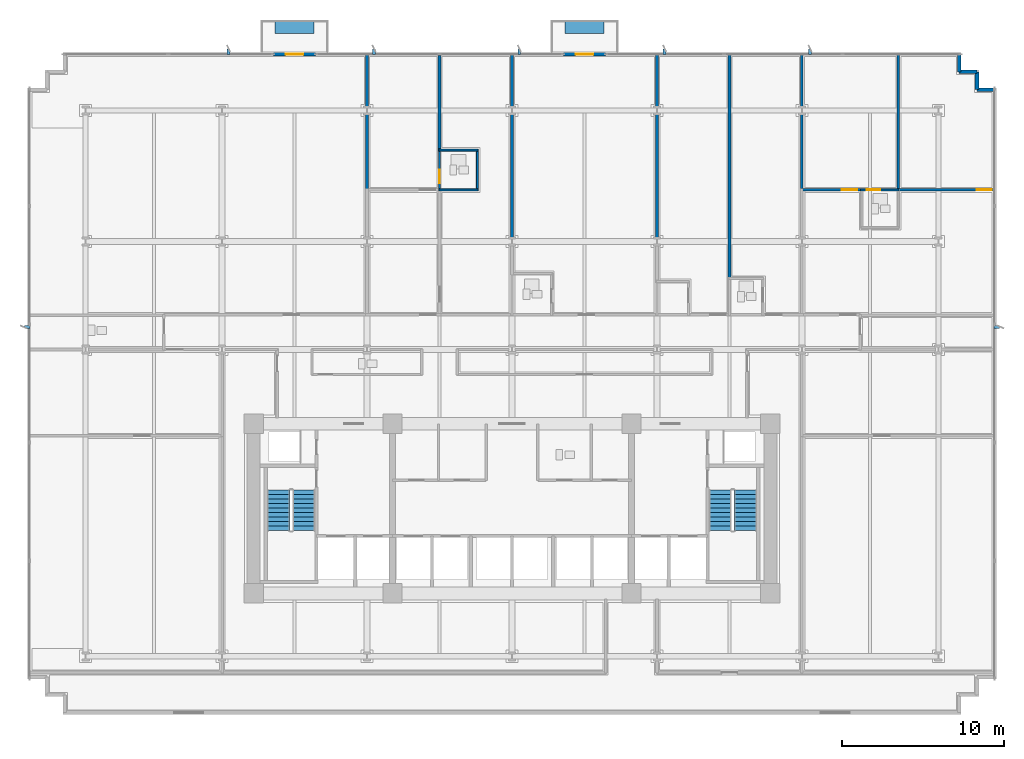
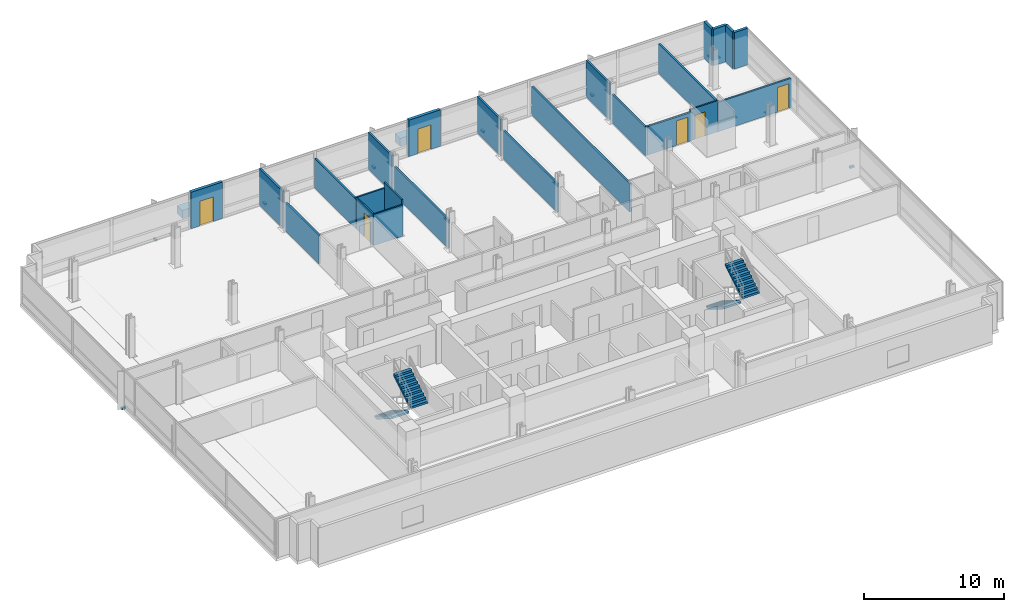
# One storey, part 11 of 17: 24 walls, 9 discrete accessories, 6 doors, 4 stair flights, 6 openings, 2 elements without a shape of their own.
"""IFC4 building model written with IfcOpenShell, lengths in metres."""

from ifc_helpers import new_model, si_unit, direction, frame, frame_2d, origin, origin_2d, place, context, subcontext, project, spatial, polyline, rectangle, outline, extrude, material, layer, layer_set, type_object, element, fill, aggregate, save


model = new_model("IFC4")

# Units and contexts
model_context = context("Model", 3, precision=1e-05, world=origin(), true_north=direction((0.0, 1.0)))
body_context = subcontext(model_context, "Body", "Model", "MODEL_VIEW")
ifc_project = project(units=[si_unit("LENGTHUNIT", "METRE"), si_unit("AREAUNIT", "SQUARE_METRE"), si_unit("VOLUMEUNIT", "CUBIC_METRE"), si_unit("PLANEANGLEUNIT", "RADIAN"), si_unit("MASSUNIT", "GRAM", prefix="KILO")], contexts=[model_context])

# Site, building, storey
site_placement = place(None, origin())
site = spatial("IfcSite", under=ifc_project, at=site_placement, CompositionType="ELEMENT")
building_placement = place(site_placement, origin())
building = spatial("IfcBuilding", under=site, at=building_placement, Name="Solmavex Isthmus Hotel", CompositionType="ELEMENT")
storey_placement = place(building_placement, frame((0.0, 0.0, 40.199951171875)))
storey = spatial("IfcBuildingStorey", under=building, at=storey_placement, Name="L10", CompositionType="ELEMENT", Elevation=40.199951171875)

# Wall, opening, door
ifc_material_1 = material(Name="Precast Concrete C40/50", Category="concrete")
ifc_layer_1 = layer(ifc_material_1, 0.25)
ifc_layer_set_1 = layer_set([ifc_layer_1], Name="Precast Concrete C40/50")
wall_type_1 = type_object("IfcWallType", Name="EW-TWR-250", PredefinedType="STANDARD", material=ifc_layer_set_1)
wall_1_placement = place(storey_placement, frame((-14.763916015625, 20.3798828125, 0.0), z_axis=(0.0, 0.0, 1.0), x_axis=(1.0, 0.0, 0.0)))
wall_1 = element("IfcWall", 1, at=wall_1_placement, inside=storey, type_object=wall_type_1, Name="Exterior Balcony Door Wall L10-2", PredefinedType="STANDARD", context=body_context, shape_type="SweptSolid", body=[
    extrude(rectangle(XDim=2.599853515625, YDim=0.239990234375, at=frame_2d((1.2998046875, 0.0))), origin(), (0.0, 0.0, 1.0), 3.18994140625),
])
opening_1_placement = place(wall_1_placement, frame((0.75, 0.0, 0.0)))
opening_1 = element("IfcOpeningElement", 2, at=opening_1_placement, cuts=wall_1, Name="Opening ED-02", PredefinedType="OPENING", context=body_context, shape_type="SweptSolid", body=[
    extrude(rectangle(XDim=1.10009765625, YDim=2.14990234375, at=frame_2d((0.550048828125, 1.074951171875))), frame((0.0, 0.1298828125, 0.0), z_axis=(0.0, -1.0, 0.0), x_axis=(1.0, 0.0, 0.0)), (0.0, 0.0, 1.0), 0.260009765625),
])
ifc_material_2 = material(Name="Aluminium alloy 6063-T6", Category="aluminium")
door_type_1 = type_object("IfcDoorType", Name="EDR-BALC-1100", OperationType="NOTDEFINED", PredefinedType="DOOR", material=ifc_material_2)
door_1_placement = place(opening_1_placement, origin())
door_1 = element("IfcDoor", 3, at=door_1_placement, inside=storey, type_object=door_type_1, Name="Balcony & Terrace Glazed Door L10-2", OperationType="SINGLE_SWING_RIGHT", OverallHeight=2.14990234375, OverallWidth=1.10009765625, PredefinedType="DOOR", context=body_context, shape_type="SweptSolid", body=[
    extrude(rectangle(XDim=1.10009765625, YDim=2.14990234375, at=frame_2d((0.550048828125, 1.074951171875))), frame((0.0, 0.02490234375, 0.0), z_axis=(0.0, -1.0, 0.0), x_axis=(1.0, 0.0, 0.0)), (0.0, 0.0, 1.0), 0.050048828125),
])
fill(opening_1, door_1)

wall_2_placement = place(storey_placement, frame((3.18798828125, 20.3798828125, 0.0), z_axis=(0.0, 0.0, 1.0), x_axis=(1.0, 0.0, 0.0)))
wall_2 = element("IfcWall", 4, at=wall_2_placement, inside=storey, type_object=wall_type_1, Name="Exterior Balcony Door Wall L10-3", PredefinedType="STANDARD", context=body_context, shape_type="SweptSolid", body=[
    extrude(rectangle(XDim=2.60009765625, YDim=0.239990234375, at=frame_2d((1.300048828125, 0.0))), origin(), (0.0, 0.0, 1.0), 3.18994140625),
])
opening_2_placement = place(wall_2_placement, frame((0.75, 0.0, 0.0)))
opening_2 = element("IfcOpeningElement", 5, at=opening_2_placement, cuts=wall_2, Name="Opening ED-02", PredefinedType="OPENING", context=body_context, shape_type="SweptSolid", body=[
    extrude(rectangle(XDim=1.10009765625, YDim=2.14990234375, at=frame_2d((0.550048828125, 1.074951171875))), frame((0.0, 0.1298828125, 0.0), z_axis=(0.0, -1.0, 0.0), x_axis=(1.0, 0.0, 0.0)), (0.0, 0.0, 1.0), 0.260009765625),
])
door_2_placement = place(opening_2_placement, origin())
door_2 = element("IfcDoor", 6, at=door_2_placement, inside=storey, type_object=door_type_1, Name="Balcony & Terrace Glazed Door L10-3", OperationType="SINGLE_SWING_LEFT", OverallHeight=2.14990234375, OverallWidth=1.10009765625, PredefinedType="DOOR", context=body_context, shape_type="SweptSolid", body=[
    extrude(rectangle(XDim=1.10009765625, YDim=2.14990234375, at=frame_2d((0.550048828125, 1.074951171875))), frame((0.0, 0.02490234375, 0.0), z_axis=(0.0, -1.0, 0.0), x_axis=(1.0, 0.0, 0.0)), (0.0, 0.0, 1.0), 0.050048828125),
])
fill(opening_2, door_2)

# Walls
wall_3_placement = place(storey_placement, frame((27.68994140625, 20.389892578125, 0.0), z_axis=(0.0, 0.0, 1.0), x_axis=(0.0, -1.0, 0.0)))
element("IfcWall", 7, at=wall_3_placement, inside=storey, type_object=wall_type_1, Name="Serrated Corner Facade Panel L10-11", PredefinedType="STANDARD", context=body_context, shape_type="SweptSolid", body=[
    extrude(rectangle(XDim=1.099853515625, YDim=0.219970703125, at=frame_2d((0.5498046875, 0.0))), origin(), (0.0, 0.0, 1.0), 3.18994140625),
])
for number, where, z_axis, x_axis, name in (
    (8, (27.68994140625, 19.2900390625, 0.0), (0.0, 0.0, 1.0), (1.0, 0.0, 0.0), "Serrated Corner Facade Panel L10-12"),
    (9, (28.7900390625, 19.2900390625, 0.0), (0.0, 0.0, 1.0), (0.0, -1.0, 0.0), "Serrated Corner Facade Panel L10-13"),
):
    element("IfcWall", number, at=place(storey_placement, frame(where, z_axis=z_axis, x_axis=x_axis)), inside=storey, type_object=wall_type_1, Name=name, PredefinedType="STANDARD", context=body_context, shape_type="SweptSolid", body=[
        extrude(rectangle(XDim=1.10009765625, YDim=0.219970703125, at=frame_2d((0.550048828125, 0.0))), origin(), (0.0, 0.0, 1.0), 3.18994140625),
    ])
wall_4_placement = place(storey_placement, frame((28.7900390625, 18.18994140625, 0.0), z_axis=(0.0, 0.0, 1.0), x_axis=(1.0, 0.0, 0.0)))
element("IfcWall", 10, at=wall_4_placement, inside=storey, type_object=wall_type_1, Name="Serrated Corner Facade Panel L10-14", PredefinedType="STANDARD", context=body_context, shape_type="SweptSolid", body=[
    extrude(rectangle(XDim=1.099853515625, YDim=0.219970703125, at=frame_2d((0.5498046875, 0.0))), origin(), (0.0, 0.0, 1.0), 3.18994140625),
])
ifc_material_3 = material(Name="Gypsum plasterboard lining", Category="gypsum")
ifc_layer_2 = layer(ifc_material_3, 0.159912109375)
ifc_layer_set_2 = layer_set([ifc_layer_2], Name="Gypsum plasterboard lining")
wall_type_2 = type_object("IfcWallType", Name="IW-COMP-160", PredefinedType="PARTITIONING", material=ifc_layer_set_2)
wall_5_placement = place(storey_placement, frame((-8.97607421875, 16.72509765625, 0.0), z_axis=(0.0, 0.0, 1.0), x_axis=(0.0, -1.0, 0.0)))
element("IfcWall", 11, at=wall_5_placement, inside=storey, type_object=wall_type_2, Name="Interior Partition Wall W-L10-P035", PredefinedType="PARTITIONING", context=body_context, shape_type="SweptSolid", body=[
    extrude(rectangle(XDim=4.819091796875, YDim=0.159912109375, at=frame_2d((2.40966796875, 0.0))), origin(), (0.0, 0.0, 1.0), 2.4794921875),
])
wall_6_placement = place(storey_placement, frame((-8.97607421875, 20.419921875, 0.0), z_axis=(0.0, 0.0, 1.0), x_axis=(0.0, -1.0, 0.0)))
element("IfcWall", 12, at=wall_6_placement, inside=storey, type_object=wall_type_2, Name="Interior Partition Wall W-L10-P036", PredefinedType="PARTITIONING", context=body_context, shape_type="SweptSolid", body=[
    extrude(rectangle(XDim=3.344970703125, YDim=0.159912109375, at=frame_2d((1.67236328125, 0.0))), origin(), (0.0, 0.0, 1.0), 3.18994140625),
])
wall_7_placement = place(storey_placement, frame((-4.488037109375, 20.300048828125, 0.0), z_axis=(0.0, 0.0, 1.0), x_axis=(0.0, -1.0, 0.0)))
element("IfcWall", 13, at=wall_7_placement, inside=storey, type_object=wall_type_2, Name="Interior Partition Wall W-L10-P040", PredefinedType="PARTITIONING", context=body_context, shape_type="SweptSolid", body=[
    extrude(rectangle(XDim=5.944091796875, YDim=0.159912109375, at=frame_2d((2.97216796875, 0.0))), origin(), (0.0, 0.0, 1.0), 2.55322265625),
])
wall_8_placement = place(storey_placement, frame((0.0, 16.72509765625, 0.0), z_axis=(0.0, 0.0, 1.0), x_axis=(0.0, -1.0, 0.0)))
element("IfcWall", 14, at=wall_8_placement, inside=storey, type_object=wall_type_2, Name="Interior Partition Wall W-L10-P046", PredefinedType="PARTITIONING", context=body_context, shape_type="SweptSolid", body=[
    extrude(rectangle(XDim=7.76220703125, YDim=0.159912109375, at=frame_2d((3.881103515625, 0.0))), origin(), (0.0, 0.0, 1.0), 2.4794921875),
])
wall_9_placement = place(storey_placement, frame((0.0, 20.419921875, 0.0), z_axis=(0.0, 0.0, 1.0), x_axis=(0.0, -1.0, 0.0)))
element("IfcWall", 15, at=wall_9_placement, inside=storey, type_object=wall_type_2, Name="Interior Partition Wall W-L10-P047", PredefinedType="PARTITIONING", context=body_context, shape_type="SweptSolid", body=[
    extrude(rectangle(XDim=3.344970703125, YDim=0.159912109375, at=frame_2d((1.67236328125, 0.0))), origin(), (0.0, 0.0, 1.0), 3.18994140625),
])
wall_10_placement = place(storey_placement, frame((8.97607421875, 16.72509765625, 0.0), z_axis=(0.0, 0.0, 1.0), x_axis=(0.0, -1.0, 0.0)))
element("IfcWall", 16, at=wall_10_placement, inside=storey, type_object=wall_type_2, Name="Interior Partition Wall W-L10-P052", PredefinedType="PARTITIONING", context=body_context, shape_type="SweptSolid", body=[
    extrude(rectangle(XDim=7.76220703125, YDim=0.159912109375, at=frame_2d((3.881103515625, 0.0))), origin(), (0.0, 0.0, 1.0), 2.4794921875),
])
wall_11_placement = place(storey_placement, frame((8.97607421875, 20.419921875, 0.0), z_axis=(0.0, 0.0, 1.0), x_axis=(0.0, -1.0, 0.0)))
element("IfcWall", 17, at=wall_11_placement, inside=storey, type_object=wall_type_2, Name="Interior Partition Wall W-L10-P053", PredefinedType="PARTITIONING", context=body_context, shape_type="SweptSolid", body=[
    extrude(rectangle(XDim=3.344970703125, YDim=0.159912109375, at=frame_2d((1.67236328125, 0.0))), origin(), (0.0, 0.0, 1.0), 3.18994140625),
])
wall_12_placement = place(storey_placement, frame((13.464111328125, 20.419921875, 0.0), z_axis=(0.0, 0.0, 1.0), x_axis=(0.0, -1.0, 0.0)))
element("IfcWall", 18, at=wall_12_placement, inside=storey, type_object=wall_type_2, Name="Interior Partition Wall W-L10-P057", PredefinedType="PARTITIONING", context=body_context, shape_type="SweptSolid", body=[
    extrude(rectangle(XDim=14.001953125, YDim=0.159912109375, at=frame_2d((7.0009765625, 0.0))), origin(), (0.0, 0.0, 1.0), 2.4794921875),
])
wall_13_placement = place(storey_placement, frame((17.951904296875, 16.72509765625, 0.0), z_axis=(0.0, 0.0, 1.0), x_axis=(0.0, -1.0, 0.0)))
element("IfcWall", 19, at=wall_13_placement, inside=storey, type_object=wall_type_2, Name="Interior Partition Wall W-L10-P063", PredefinedType="PARTITIONING", context=body_context, shape_type="SweptSolid", body=[
    extrude(rectangle(XDim=4.819091796875, YDim=0.159912109375, at=frame_2d((2.40966796875, 0.0))), origin(), (0.0, 0.0, 1.0), 2.4794921875),
])
wall_14_placement = place(storey_placement, frame((17.951904296875, 20.419921875, 0.0), z_axis=(0.0, 0.0, 1.0), x_axis=(0.0, -1.0, 0.0)))
element("IfcWall", 20, at=wall_14_placement, inside=storey, type_object=wall_type_2, Name="Interior Partition Wall W-L10-P064", PredefinedType="PARTITIONING", context=body_context, shape_type="SweptSolid", body=[
    extrude(rectangle(XDim=3.344970703125, YDim=0.159912109375, at=frame_2d((1.67236328125, 0.0))), origin(), (0.0, 0.0, 1.0), 3.18994140625),
])

# Wall, opening, door
wall_15_placement = place(storey_placement, frame((17.912109375, 11.988037109375, 0.0), z_axis=(0.0, 0.0, 1.0), x_axis=(1.0, 0.0, 0.0)))
wall_15 = element("IfcWall", 21, at=wall_15_placement, inside=storey, type_object=wall_type_2, Name="Interior Partition Wall W-L10-P065", PredefinedType="PARTITIONING", context=body_context, shape_type="SweptSolid", body=[
    extrude(rectangle(XDim=3.7939453125, YDim=0.159912109375, at=frame_2d((1.89697265625, 0.0))), origin(), (0.0, 0.0, 1.0), 2.4794921875),
])
opening_3_placement = place(wall_15_placement, frame((2.513916015625, 0.0, 0.0)))
opening_3 = element("IfcOpeningElement", 22, at=opening_3_placement, cuts=wall_15, Name="Opening ID-C095", PredefinedType="OPENING", context=body_context, shape_type="SweptSolid", body=[
    extrude(rectangle(XDim=0.949951171875, YDim=2.14990234375, at=frame_2d((0.47509765625, 1.074951171875))), frame((0.0, 0.08984375, 0.0), z_axis=(0.0, -1.0, 0.0), x_axis=(1.0, 0.0, 0.0)), (0.0, 0.0, 1.0), 0.179931640625),
])
ifc_material_4 = material(Name="Hardwood timber", Category="wood")
door_type_2 = type_object("IfcDoorType", Name="IDR-FD60-0950", OperationType="NOTDEFINED", PredefinedType="DOOR", material=ifc_material_4)
door_3_placement = place(opening_3_placement, origin())
door_3 = element("IfcDoor", 23, at=door_3_placement, inside=storey, type_object=door_type_2, Name="Corner Diplomatic Suite Bedroom Door L10-13", OperationType="SINGLE_SWING_LEFT", OverallHeight=2.14990234375, OverallWidth=0.949951171875, PredefinedType="DOOR", context=body_context, shape_type="SweptSolid", body=[
    extrude(rectangle(XDim=0.949951171875, YDim=2.14990234375, at=frame_2d((0.47509765625, 1.074951171875))), frame((0.0, 0.02490234375, 0.0), z_axis=(0.0, -1.0, 0.0), x_axis=(1.0, 0.0, 0.0)), (0.0, 0.0, 1.0), 0.050048828125),
])
fill(opening_3, door_3)

wall_16_placement = place(storey_placement, frame((23.8759765625, 11.988037109375, 0.0), z_axis=(0.0, 0.0, 1.0), x_axis=(1.0, 0.0, 0.0)))
wall_16 = element("IfcWall", 24, at=wall_16_placement, inside=storey, type_object=wall_type_2, Name="Interior Partition Wall W-L10-P066", PredefinedType="PARTITIONING", context=body_context, shape_type="SweptSolid", body=[
    extrude(rectangle(XDim=6.0439453125, YDim=0.159912109375, at=frame_2d((3.02197265625, 0.0))), origin(), (0.0, 0.0, 1.0), 2.55322265625),
])
opening_4_placement = place(wall_16_placement, frame((4.884033203125, 0.0, 0.0)))
opening_4 = element("IfcOpeningElement", 25, at=opening_4_placement, cuts=wall_16, Name="Opening ID-C095", PredefinedType="OPENING", context=body_context, shape_type="SweptSolid", body=[
    extrude(rectangle(XDim=0.949951171875, YDim=2.14990234375, at=frame_2d((0.47509765625, 1.074951171875))), frame((0.0, 0.08984375, 0.0), z_axis=(0.0, -1.0, 0.0), x_axis=(1.0, 0.0, 0.0)), (0.0, 0.0, 1.0), 0.179931640625),
])
door_4_placement = place(opening_4_placement, origin())
door_4 = element("IfcDoor", 26, at=door_4_placement, inside=storey, type_object=door_type_2, Name="Corner Diplomatic Suite Sitting Lounge Door L10-14", OperationType="SINGLE_SWING_RIGHT", OverallHeight=2.14990234375, OverallWidth=0.949951171875, PredefinedType="DOOR", context=body_context, shape_type="SweptSolid", body=[
    extrude(rectangle(XDim=0.949951171875, YDim=2.14990234375, at=frame_2d((0.47509765625, 1.074951171875))), frame((0.0, 0.02490234375, 0.0), z_axis=(0.0, -1.0, 0.0), x_axis=(1.0, 0.0, 0.0)), (0.0, 0.0, 1.0), 0.050048828125),
])
fill(opening_4, door_4)

# Wall
wall_17_placement = place(storey_placement, frame((23.916015625, 20.419921875, 0.0), z_axis=(0.0, 0.0, 1.0), x_axis=(0.0, -1.0, 0.0)))
element("IfcWall", 27, at=wall_17_placement, inside=storey, type_object=wall_type_2, Name="Interior Partition Wall W-L10-P071", PredefinedType="PARTITIONING", context=body_context, shape_type="SweptSolid", body=[
    extrude(rectangle(XDim=8.471923828125, YDim=0.159912109375, at=frame_2d((4.23583984375, 0.0))), origin(), (0.0, 0.0, 1.0), 2.55322265625),
])

# Wall, opening, door
ifc_layer_3 = layer(ifc_material_3, 0.1201171875)
ifc_layer_set_3 = layer_set([ifc_layer_3], Name="Gypsum plasterboard lining")
wall_type_3 = type_object("IfcWallType", Name="IW-PART-120", PredefinedType="PARTITIONING", material=ifc_layer_set_3)
wall_18_placement = place(storey_placement, frame((-4.488037109375, 14.52001953125, 0.0), z_axis=(0.0, 0.0, 1.0), x_axis=(0.0, -1.0, 0.0)))
wall_18 = element("IfcWall", 28, at=wall_18_placement, inside=storey, type_object=wall_type_3, Name="Interior Partition Wall W-L10-P041", PredefinedType="PARTITIONING", context=body_context, shape_type="SweptSolid", body=[
    extrude(rectangle(XDim=2.572021484375, YDim=0.1201171875, at=frame_2d((1.2861328125, 0.0))), origin(), (0.0, 0.0, 1.0), 2.71826171875),
])
opening_5_placement = place(wall_18_placement, frame((1.27978515625, 0.0, 0.0)))
opening_5 = element("IfcOpeningElement", 29, at=opening_5_placement, cuts=wall_18, Name="Opening ID-U085", PredefinedType="OPENING", context=body_context, shape_type="SweptSolid", body=[
    extrude(rectangle(XDim=0.85009765625, YDim=2.10009765625, at=frame_2d((0.425048828125, 1.050048828125))), frame((0.0, 0.070068359375, 0.0), z_axis=(0.0, -1.0, 0.0), x_axis=(1.0, 0.0, 0.0)), (0.0, 0.0, 1.0), 0.14013671875),
])
door_type_3 = type_object("IfcDoorType", Name="IDR-UNR-0850", OperationType="NOTDEFINED", PredefinedType="DOOR", material=ifc_material_4)
door_5_placement = place(opening_5_placement, origin())
door_5 = element("IfcDoor", 30, at=door_5_placement, inside=storey, type_object=door_type_3, Name="En-suite Bathroom Door L10-05", OperationType="SINGLE_SWING_LEFT", OverallHeight=2.10009765625, OverallWidth=0.85009765625, PredefinedType="DOOR", context=body_context, shape_type="SweptSolid", body=[
    extrude(rectangle(XDim=0.85009765625, YDim=2.10009765625, at=frame_2d((0.425048828125, 1.050048828125))), frame((0.0, 0.02490234375, 0.0), z_axis=(0.0, -1.0, 0.0), x_axis=(1.0, 0.0, 0.0)), (0.0, 0.0, 1.0), 0.050048828125),
])
fill(opening_5, door_5)

# Walls
wall_19_placement = place(storey_placement, frame((-4.528076171875, 11.988037109375, 0.0), z_axis=(0.0, 0.0, 1.0), x_axis=(1.0, 0.0, 0.0)))
element("IfcWall", 31, at=wall_19_placement, inside=storey, type_object=wall_type_3, Name="Interior Partition Wall W-L10-P042", PredefinedType="PARTITIONING", context=body_context, shape_type="SweptSolid", body=[
    extrude(rectangle(XDim=2.43017578125, YDim=0.1201171875, at=frame_2d((1.215087890625, 0.0))), origin(), (0.0, 0.0, 1.0), 2.71826171875),
])
wall_20_placement = place(storey_placement, frame((-2.137939453125, 11.947998046875, 0.0), z_axis=(0.0, 0.0, 1.0), x_axis=(0.0, 1.0, 0.0)))
element("IfcWall", 32, at=wall_20_placement, inside=storey, type_object=wall_type_3, Name="Interior Partition Wall W-L10-P043", PredefinedType="PARTITIONING", context=body_context, shape_type="SweptSolid", body=[
    extrude(rectangle(XDim=2.530029296875, YDim=0.1201171875, at=frame_2d((1.26513671875, 0.0))), origin(), (0.0, 0.0, 1.0), 3.18994140625),
])
wall_21_placement = place(storey_placement, frame((-2.097900390625, 14.43798828125, 0.0), z_axis=(0.0, 0.0, 1.0), x_axis=(-1.0, 0.0, 0.0)))
element("IfcWall", 33, at=wall_21_placement, inside=storey, type_object=wall_type_3, Name="Interior Partition Wall W-L10-P044", PredefinedType="PARTITIONING", context=body_context, shape_type="SweptSolid", body=[
    extrude(rectangle(XDim=2.43017578125, YDim=0.1201171875, at=frame_2d((1.215087890625, 0.0))), origin(), (0.0, 0.0, 1.0), 2.71826171875),
])

# Wall, opening, door
wall_22_placement = place(storey_placement, frame((23.9560546875, 11.988037109375, 0.0), z_axis=(0.0, 0.0, 1.0), x_axis=(-1.0, 0.0, 0.0)))
wall_22 = element("IfcWall", 34, at=wall_22_placement, inside=storey, type_object=wall_type_3, Name="Interior Partition Wall W-L10-P072", PredefinedType="PARTITIONING", context=body_context, shape_type="SweptSolid", body=[
    extrude(rectangle(XDim=2.3720703125, YDim=0.1201171875, at=frame_2d((1.18603515625, 0.0))), origin(), (0.0, 0.0, 1.0), 2.71826171875),
])
opening_6_placement = place(wall_22_placement, frame((1.14599609375, 0.0, 0.0)))
opening_6 = element("IfcOpeningElement", 35, at=opening_6_placement, cuts=wall_22, Name="Opening ID-U085", PredefinedType="OPENING", context=body_context, shape_type="SweptSolid", body=[
    extrude(rectangle(XDim=0.85009765625, YDim=2.10009765625, at=frame_2d((0.425048828125, 1.050048828125))), frame((0.0, 0.070068359375, 0.0), z_axis=(0.0, -1.0, 0.0), x_axis=(1.0, 0.0, 0.0)), (0.0, 0.0, 1.0), 0.14013671875),
])
door_6_placement = place(opening_6_placement, frame((0.85009765625, 0.0, 0.0), z_axis=(0.0, 0.0, 1.0), x_axis=(-1.0, 0.0, 0.0)))
door_6 = element("IfcDoor", 36, at=door_6_placement, inside=storey, type_object=door_type_3, Name="En-suite Bathroom Door L10-15", OperationType="SINGLE_SWING_LEFT", OverallHeight=2.10009765625, OverallWidth=0.85009765625, PredefinedType="DOOR", context=body_context, shape_type="SweptSolid", body=[
    extrude(rectangle(XDim=0.85009765625, YDim=2.10009765625, at=frame_2d((0.425048828125, 1.050048828125))), frame((0.0, 0.02490234375, 0.0), z_axis=(0.0, -1.0, 0.0), x_axis=(1.0, 0.0, 0.0)), (0.0, 0.0, 1.0), 0.050048828125),
])
fill(opening_6, door_6)

# Stair, stair flights
ifc_material_5 = material(Name="Concrete C40/50", Category="concrete")
stair_type_1 = type_object("IfcStairType", Name="STR-ST-1", PredefinedType="HALF_TURN_STAIR", material=ifc_material_5)
stair_1_placement = place(storey_placement, origin())
stair_1 = element("IfcStair", 37, at=stair_1_placement, inside=storey, type_object=stair_type_1, Name="L10 Protected Exit Stair ST-1", PredefinedType="HALF_TURN_STAIR")
stair_flight_type_1 = type_object("IfcStairFlightType", Name="SFL-ST-1", PredefinedType="STRAIGHT", material=ifc_material_5)
stair_flight_1_placement = place(storey_placement, frame((-14.449951171875, -6.60009765625, 0.0), z_axis=(0.0, 0.0, 1.0), x_axis=(0.0, -1.0, 0.0)))
stair_flight_1 = element("IfcStairFlight", 38, at=stair_flight_1_placement, type_object=stair_flight_type_1, Name="ST-1 flight 1", NumberOfRisers=10, NumberOfTreads=9, PredefinedType="STRAIGHT", RiserHeight=0.1725, TreadLength=0.28, context=body_context, shape_type="SweptSolid", body=[
    extrude(outline(polyline([(0.0, 0.0), (0.0, 0.172607421875), (0.280029296875, 0.172607421875), (0.280029296875, 0.344970703125), (0.56005859375, 0.344970703125), (0.56005859375, 0.517578125), (0.840087890625, 0.517578125), (0.840087890625, 0.68994140625), (1.1201171875, 0.68994140625), (1.1201171875, 0.862548828125), (1.39990234375, 0.862548828125), (1.39990234375, 1.034912109375), (1.679931640625, 1.034912109375), (1.679931640625, 1.20751953125), (1.9599609375, 1.20751953125), (1.9599609375, 1.3798828125), (2.239990234375, 1.3798828125), (2.239990234375, 1.552490234375), (2.52001953125, 1.552490234375), (2.52001953125, 1.72509765625), (2.52001953125, 1.37646484375), (0.285888671875, 0.0), (0.0, 0.0)])), frame((0.0, 0.699951171875, 0.0), z_axis=(0.0, -1.0, 0.0), x_axis=(1.0, 0.0, 0.0)), (0.0, 0.0, 1.0), 1.39990234375),
])
stair_flight_2_placement = place(storey_placement, frame((-12.89990234375, -9.1201171875, 1.72509765625), z_axis=(0.0, 0.0, 1.0), x_axis=(0.0, 1.0, 0.0)))
stair_flight_2 = element("IfcStairFlight", 39, at=stair_flight_2_placement, type_object=stair_flight_type_1, Name="ST-1 flight 2", NumberOfRisers=10, NumberOfTreads=9, PredefinedType="STRAIGHT", RiserHeight=0.1725, TreadLength=0.28, context=body_context, shape_type="SweptSolid", body=[
    extrude(outline(polyline([(0.0, 0.0), (0.0, 0.172607421875), (0.280029296875, 0.172607421875), (0.280029296875, 0.344970703125), (0.56005859375, 0.344970703125), (0.56005859375, 0.517578125), (0.840087890625, 0.517578125), (0.840087890625, 0.68994140625), (1.1201171875, 0.68994140625), (1.1201171875, 0.862548828125), (1.39990234375, 0.862548828125), (1.39990234375, 1.034912109375), (1.679931640625, 1.034912109375), (1.679931640625, 1.20751953125), (1.9599609375, 1.20751953125), (1.9599609375, 1.3798828125), (2.239990234375, 1.3798828125), (2.239990234375, 1.552490234375), (2.52001953125, 1.552490234375), (2.52001953125, 1.72509765625), (2.52001953125, 1.37646484375), (0.285888671875, 0.0), (0.0, 0.0)])), frame((0.0, 0.699951171875, 0.0), z_axis=(0.0, -1.0, 0.0), x_axis=(1.0, 0.0, 0.0)), (0.0, 0.0, 1.0), 1.39990234375),
])
aggregate(stair_1, [stair_flight_1, stair_flight_2])

stair_type_2 = type_object("IfcStairType", Name="STR-ST-2", PredefinedType="HALF_TURN_STAIR", material=ifc_material_5)
stair_2_placement = place(storey_placement, origin())
stair_2 = element("IfcStair", 40, at=stair_2_placement, inside=storey, type_object=stair_type_2, Name="L10 Protected Exit Stair ST-2", PredefinedType="HALF_TURN_STAIR")
stair_flight_type_2 = type_object("IfcStairFlightType", Name="SFL-ST-2", PredefinedType="STRAIGHT", material=ifc_material_5)
stair_flight_3_placement = place(storey_placement, frame((12.89990234375, -6.60009765625, 0.0), z_axis=(0.0, 0.0, 1.0), x_axis=(0.0, -1.0, 0.0)))
stair_flight_3 = element("IfcStairFlight", 41, at=stair_flight_3_placement, type_object=stair_flight_type_2, Name="ST-2 flight 1", NumberOfRisers=10, NumberOfTreads=9, PredefinedType="STRAIGHT", RiserHeight=0.1725, TreadLength=0.28, context=body_context, shape_type="SweptSolid", body=[
    extrude(outline(polyline([(0.0, 0.0), (0.0, 0.172607421875), (0.280029296875, 0.172607421875), (0.280029296875, 0.344970703125), (0.56005859375, 0.344970703125), (0.56005859375, 0.517578125), (0.840087890625, 0.517578125), (0.840087890625, 0.68994140625), (1.1201171875, 0.68994140625), (1.1201171875, 0.862548828125), (1.39990234375, 0.862548828125), (1.39990234375, 1.034912109375), (1.679931640625, 1.034912109375), (1.679931640625, 1.20751953125), (1.9599609375, 1.20751953125), (1.9599609375, 1.3798828125), (2.239990234375, 1.3798828125), (2.239990234375, 1.552490234375), (2.52001953125, 1.552490234375), (2.52001953125, 1.72509765625), (2.52001953125, 1.37646484375), (0.285888671875, 0.0), (0.0, 0.0)])), frame((0.0, 0.699951171875, 0.0), z_axis=(0.0, -1.0, 0.0), x_axis=(1.0, 0.0, 0.0)), (0.0, 0.0, 1.0), 1.39990234375),
])
stair_flight_4_placement = place(storey_placement, frame((14.449951171875, -9.1201171875, 1.72509765625), z_axis=(0.0, 0.0, 1.0), x_axis=(0.0, 1.0, 0.0)))
stair_flight_4 = element("IfcStairFlight", 42, at=stair_flight_4_placement, type_object=stair_flight_type_2, Name="ST-2 flight 2", NumberOfRisers=10, NumberOfTreads=9, PredefinedType="STRAIGHT", RiserHeight=0.1725, TreadLength=0.28, context=body_context, shape_type="SweptSolid", body=[
    extrude(outline(polyline([(0.0, 0.0), (0.0, 0.172607421875), (0.280029296875, 0.172607421875), (0.280029296875, 0.344970703125), (0.56005859375, 0.344970703125), (0.56005859375, 0.517578125), (0.840087890625, 0.517578125), (0.840087890625, 0.68994140625), (1.1201171875, 0.68994140625), (1.1201171875, 0.862548828125), (1.39990234375, 0.862548828125), (1.39990234375, 1.034912109375), (1.679931640625, 1.034912109375), (1.679931640625, 1.20751953125), (1.9599609375, 1.20751953125), (1.9599609375, 1.3798828125), (2.239990234375, 1.3798828125), (2.239990234375, 1.552490234375), (2.52001953125, 1.552490234375), (2.52001953125, 1.72509765625), (2.52001953125, 1.37646484375), (0.285888671875, 0.0), (0.0, 0.0)])), frame((0.0, 0.699951171875, 0.0), z_axis=(0.0, -1.0, 0.0), x_axis=(1.0, 0.0, 0.0)), (0.0, 0.0, 1.0), 1.39990234375),
])
aggregate(stair_2, [stair_flight_3, stair_flight_4])

# Discrete accessories
ifc_material_6 = material(Name="Steel ASTM A572 Grade 50", Category="steel")
discrete_accessory_type_1 = type_object("IfcDiscreteAccessoryType", Name="ACC-BRK-FIN", PredefinedType="BRACKET", material=ifc_material_6)
for number, where, z_axis, x_axis, name in (
    (43, (-17.550048828125, 20.52001953125, -0.169921875), (0.0, 0.0, 1.0), (0.0, 1.0, 0.0), "Facade Fin Support Bracket L10-N1"),
    (44, (-8.550048828125, 20.52001953125, -0.169921875), (0.0, 0.0, 1.0), (0.0, 1.0, 0.0), "Facade Fin Support Bracket L10-N2"),
    (45, (0.449951171875, 20.52001953125, -0.169921875), (0.0, 0.0, 1.0), (0.0, 1.0, 0.0), "Facade Fin Support Bracket L10-N3"),
    (46, (9.449951171875, 20.52001953125, -0.169921875), (0.0, 0.0, 1.0), (0.0, 1.0, 0.0), "Facade Fin Support Bracket L10-N4"),
    (47, (18.449951171875, 20.52001953125, -0.169921875), (0.0, 0.0, 1.0), (0.0, 1.0, 0.0), "Facade Fin Support Bracket L10-N5"),
    (48, (-30.02001953125, 3.5, -0.169921875), (0.0, 0.0, 1.0), (-1.0, 0.0, 0.0), "Facade Fin Support Bracket L10-W1"),
    (49, (30.02001953125, 3.5, -0.169921875), (0.0, 0.0, 1.0), (1.0, 0.0, 0.0), "Facade Fin Support Bracket L10-E1"),
):
    element("IfcDiscreteAccessory", number, at=place(storey_placement, frame(where, z_axis=z_axis, x_axis=x_axis)), inside=storey, type_object=discrete_accessory_type_1, Name=name, PredefinedType="BRACKET", context=body_context, shape_type="SweptSolid", body=[
        extrude(rectangle(XDim=0.340087890625, YDim=0.179931640625, at=origin_2d()), origin(), (0.0, 0.0, 1.0), 0.159912109375),
    ])
discrete_accessory_type_2 = type_object("IfcDiscreteAccessoryType", Name="ACC-PLN-BALC", PredefinedType="USERDEFINED", material=ifc_material_1)
for number, where, z_axis, x_axis, name in (
    (50, (-13.464111328125, 22.050048828125, 0.0), (0.0, 0.0, 1.0), (1.0, 0.0, 0.0), "Tree-Balcony Architectural Planter L10-B1"),
    (51, (4.488037109375, 22.050048828125, 0.0), (0.0, 0.0, 1.0), (1.0, 0.0, 0.0), "Tree-Balcony Architectural Planter L10-B2"),
):
    element("IfcDiscreteAccessory", number, at=place(storey_placement, frame(where, z_axis=z_axis, x_axis=x_axis)), inside=storey, type_object=discrete_accessory_type_2, Name=name, ObjectType="PLANTER", PredefinedType="USERDEFINED", context=body_context, shape_type="SweptSolid", body=[
        extrude(rectangle(XDim=2.39990234375, YDim=0.75, at=origin_2d()), origin(), (0.0, 0.0, 1.0), 0.699951171875),
    ])

save(model, "model.ifc")
